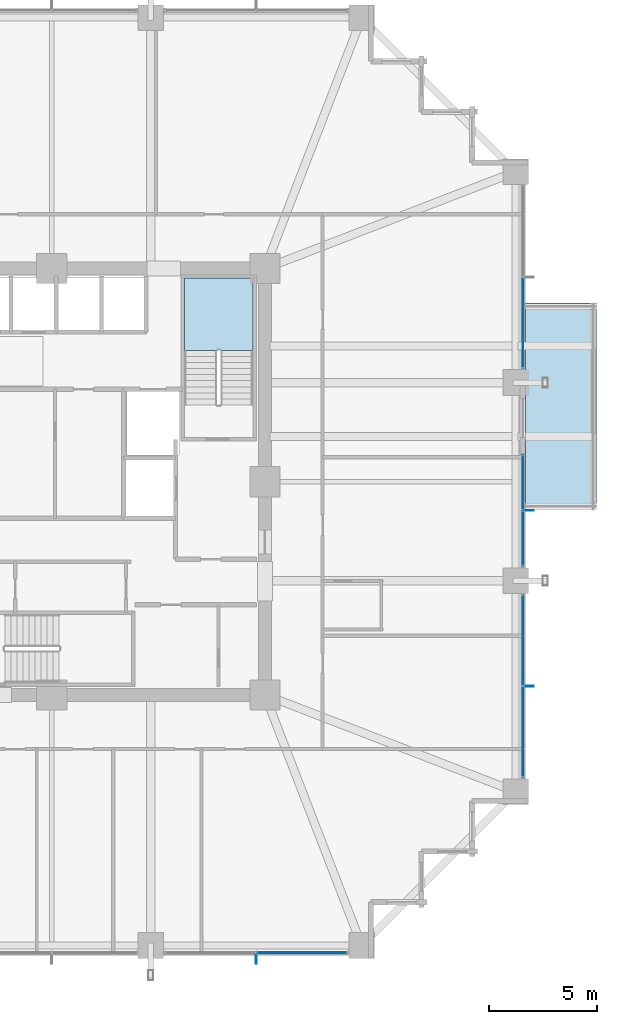
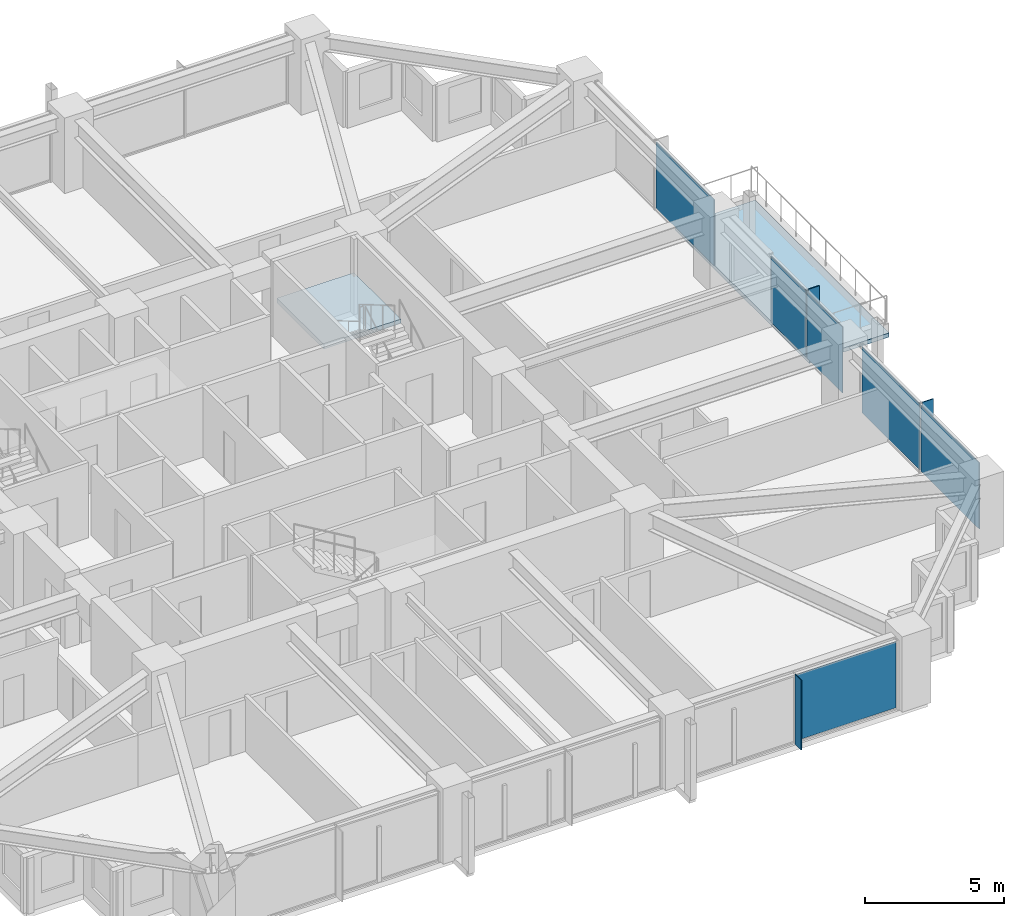
# One storey, part 30 of 38: 9 plates, 2 slabs, 5 elements without a shape of their own.
"""IFC4 building model written with IfcOpenShell, lengths in metres."""

from ifc_helpers import new_model, si_unit, direction, frame, origin, origin_2d, place, context, subcontext, project, spatial, polyline, rectangle, outline, extrude, material, layer, layer_set, type_object, element, aggregate, save


model = new_model("IFC4")

# Units and contexts
model_context = context("Model", 3, precision=1e-05, world=origin(), true_north=direction((0.0, 1.0)))
body_context = subcontext(model_context, "Body", "Model", "MODEL_VIEW")
ifc_project = project(units=[si_unit("LENGTHUNIT", "METRE"), si_unit("AREAUNIT", "SQUARE_METRE"), si_unit("VOLUMEUNIT", "CUBIC_METRE"), si_unit("PLANEANGLEUNIT", "RADIAN"), si_unit("MASSUNIT", "GRAM", prefix="KILO")], contexts=[model_context])

# Site, building, storey
site_placement = place(None, origin())
site = spatial("IfcSite", under=ifc_project, at=site_placement, CompositionType="ELEMENT")
building_placement = place(site_placement, origin())
building = spatial("IfcBuilding", under=site, at=building_placement, Name="Kolvaren Belvedere", CompositionType="ELEMENT")
storey_placement = place(building_placement, frame((0.0, 0.0, 53.5)))
storey = spatial("IfcBuildingStorey", under=building, at=storey_placement, Name="L15", CompositionType="ELEMENT", Elevation=53.5)

# Curtain wall, plate
ifc_material_1 = material(Name="Anodised pale-metal aluminium AA 6063-T6", Category="aluminium")
curtain_wall_type = type_object("IfcCurtainWallType", Name="CW-Z1-LOW", PredefinedType="NOTDEFINED", material=ifc_material_1)
curtain_wall_1_placement = place(storey_placement, origin())
curtain_wall_1 = element("IfcCurtainWall", 1, at=curtain_wall_1_placement, inside=storey, type_object=curtain_wall_type, Name="L15 Unitised Curtain Wall FCW-L15-S-B1", PredefinedType="NOTDEFINED")
ifc_material_2 = material(Name="Low-iron triple insulated glass", Category="glass")
ifc_layer_1 = layer(ifc_material_2, 0.028076171875)
ifc_layer_set_1 = layer_set([ifc_layer_1], Name="Low-iron triple insulated glass")
plate_type_1 = type_object("IfcPlateType", Name="CW-PNL-VIS28", PredefinedType="CURTAIN_PANEL", material=ifc_layer_set_1)
plate_1_placement = place(storey_placement, frame((11.62255859375, -21.8798828125, 0.080078125), z_axis=(0.0, 0.0, 1.0), x_axis=(-1.0, 0.0, 0.0)))
plate_1 = element("IfcPlate", 2, at=plate_1_placement, type_object=plate_type_1, Name="FCW-L15-S-B1 Vision Glazing Panel 1", PredefinedType="CURTAIN_PANEL", context=body_context, shape_type="SweptSolid", body=[
    extrude(rectangle(XDim=4.1650390625, YDim=0.028076171875, at=origin_2d()), origin(), (0.0, 0.0, 1.0), 2.89990234375),
])
aggregate(curtain_wall_1, [plate_1])

curtain_wall_2_placement = place(storey_placement, origin())
curtain_wall_2 = element("IfcCurtainWall", 3, at=curtain_wall_2_placement, inside=storey, type_object=curtain_wall_type, Name="L15 Unitised Curtain Wall FCW-L15-E1", PredefinedType="NOTDEFINED")
plate_2_placement = place(storey_placement, frame((21.8798828125, 7.37744140625, 0.080078125), z_axis=(0.0, 0.0, 1.0), x_axis=(0.0, -1.0, 0.0)))
plate_2 = element("IfcPlate", 4, at=plate_2_placement, type_object=plate_type_1, Name="FCW-L15-E1 Vision Glazing Panel 2", PredefinedType="CURTAIN_PANEL", context=body_context, shape_type="SweptSolid", body=[
    extrude(rectangle(XDim=4.1650390625, YDim=0.028076171875, at=origin_2d()), origin(), (0.0, 0.0, 1.0), 2.89990234375),
])
aggregate(curtain_wall_2, [plate_2])

# Curtain wall, plates
curtain_wall_3_placement = place(storey_placement, origin())
curtain_wall_3 = element("IfcCurtainWall", 5, at=curtain_wall_3_placement, inside=storey, type_object=curtain_wall_type, Name="L15 Unitised Curtain Wall FCW-L15-E2-B1", PredefinedType="NOTDEFINED")
plate_3_placement = place(storey_placement, frame((21.8798828125, -0.03369140625, 0.080078125), z_axis=(0.0, 0.0, 1.0), x_axis=(0.0, -1.0, 0.0)))
plate_3 = element("IfcPlate", 6, at=plate_3_placement, type_object=plate_type_1, Name="FCW-L15-E2-B1 Vision Glazing Panel 1", PredefinedType="CURTAIN_PANEL", context=body_context, shape_type="SweptSolid", body=[
    extrude(rectangle(XDim=2.527587890625, YDim=0.028076171875, at=origin_2d()), origin(), (0.0, 0.0, 1.0), 2.89990234375),
])
plate_4_placement = place(storey_placement, frame((21.8798828125, -2.64111328125, 0.080078125), z_axis=(0.0, 0.0, 1.0), x_axis=(0.0, -1.0, 0.0)))
plate_4 = element("IfcPlate", 7, at=plate_4_placement, type_object=plate_type_1, Name="FCW-L15-E2-B1 Vision Glazing Panel 2", PredefinedType="CURTAIN_PANEL", context=body_context, shape_type="SweptSolid", body=[
    extrude(rectangle(XDim=2.527587890625, YDim=0.028076171875, at=origin_2d()), origin(), (0.0, 0.0, 1.0), 2.89990234375),
])
aggregate(curtain_wall_3, [plate_3, plate_4])

curtain_wall_4_placement = place(storey_placement, origin())
curtain_wall_4 = element("IfcCurtainWall", 8, at=curtain_wall_4_placement, inside=storey, type_object=curtain_wall_type, Name="L15 Unitised Curtain Wall FCW-L15-E2-B2", PredefinedType="NOTDEFINED")
plate_5_placement = place(storey_placement, frame((21.8798828125, -7.37744140625, 0.080078125), z_axis=(0.0, 0.0, 1.0), x_axis=(0.0, -1.0, 0.0)))
plate_5 = element("IfcPlate", 9, at=plate_5_placement, type_object=plate_type_1, Name="FCW-L15-E2-B2 Vision Glazing Panel 1", PredefinedType="CURTAIN_PANEL", context=body_context, shape_type="SweptSolid", body=[
    extrude(rectangle(XDim=4.1650390625, YDim=0.028076171875, at=origin_2d()), origin(), (0.0, 0.0, 1.0), 2.89990234375),
])
plate_6_placement = place(storey_placement, frame((21.8798828125, -11.62255859375, 0.080078125), z_axis=(0.0, 0.0, 1.0), x_axis=(0.0, -1.0, 0.0)))
plate_6 = element("IfcPlate", 10, at=plate_6_placement, type_object=plate_type_1, Name="FCW-L15-E2-B2 Vision Glazing Panel 2", PredefinedType="CURTAIN_PANEL", context=body_context, shape_type="SweptSolid", body=[
    extrude(rectangle(XDim=4.1650390625, YDim=0.028076171875, at=origin_2d()), origin(), (0.0, 0.0, 1.0), 2.89990234375),
])
aggregate(curtain_wall_4, [plate_5, plate_6])

# Plates
ifc_material_3 = material(Name="Anodised pale-metal aluminium AA 6063-T6", Category="aluminium")
ifc_layer_2 = layer(ifc_material_3, 0.0380859375)
ifc_layer_set_2 = layer_set([ifc_layer_2], Name="Anodised pale-metal aluminium AA 6063-T6")
plate_type_2 = type_object("IfcPlateType", Name="FIN-VERT-450", PredefinedType="USERDEFINED", material=ifc_layer_set_2)
for number, where, z_axis, x_axis, name in (
    (11, (9.5, -22.1650390625, 0.0), (0.0, 0.0, 1.0), (0.0, 1.0, 0.0), "L15 Pale-Metal Vertical Shading Fin FCW-L15-S-B1-1"),
    (12, (22.1650390625, -1.33740234375, 0.0), (0.0, 0.0, 1.0), (1.0, 0.0, 0.0), "L15 Pale-Metal Vertical Shading Fin FCW-L15-E2-B1-1"),
    (13, (22.1650390625, -9.5, 0.0), (0.0, 0.0, 1.0), (1.0, 0.0, 0.0), "L15 Pale-Metal Vertical Shading Fin FCW-L15-E2-B2-1"),
):
    element("IfcPlate", number, at=place(storey_placement, frame(where, z_axis=z_axis, x_axis=x_axis)), inside=storey, type_object=plate_type_2, Name=name, ObjectType="VERTICAL FIN", PredefinedType="USERDEFINED", context=body_context, shape_type="SweptSolid", body=[
        extrude(rectangle(XDim=0.449951171875, YDim=0.0380859375, at=origin_2d()), origin(), (0.0, 0.0, 1.0), 3.06005859375),
    ])

# Slab
ifc_material_4 = material(Name="Concrete C50/60", Category="concrete")
ifc_layer_3 = layer(ifc_material_4, 0.179931640625)
ifc_layer_set_3 = layer_set([ifc_layer_3], Name="Concrete C50/60")
slab_type_1 = type_object("IfcSlabType", Name="SL-BAL-180", PredefinedType="FLOOR", material=ifc_layer_set_3)
slab_1_placement = place(storey_placement, frame((0.0, 0.0, -0.239990234375)))
element("IfcSlab", 14, at=slab_1_placement, inside=storey, type_object=slab_type_1, Name="L15 Planted Sky Terrace SPIRAL-02-E", PredefinedType="FLOOR", context=body_context, shape_type="SweptSolid", body=[
    extrude(outline(polyline([(22.0, -1.300048828125), (25.300048828125, -1.300048828125), (25.300048828125, 8.300048828125), (22.0, 8.300048828125), (22.0, -1.300048828125)])), origin(), (0.0, 0.0, 1.0), 0.179931640625),
])

# Stair, slab
ifc_material_5 = material(Name="Concrete C50/60", Category="concrete")
stair_type = type_object("IfcStairType", Name="ST-CORE-1520", PredefinedType="HALF_TURN_STAIR", material=ifc_material_5)
stair_placement = place(storey_placement, origin())
stair = element("IfcStair", 15, at=stair_placement, inside=storey, type_object=stair_type, Name="L15 Protected Exit Stair ST-2", PredefinedType="HALF_TURN_STAIR")
ifc_material_6 = material(Name="Concrete C50/60", Category="concrete")
ifc_layer_4 = layer(ifc_material_6, 0.260009765625)
ifc_layer_set_4 = layer_set([ifc_layer_4], Name="Concrete C50/60")
slab_type_2 = type_object("IfcSlabType", Name="SL-LAND-260", PredefinedType="LANDING", material=ifc_layer_set_4)
slab_2_placement = place(storey_placement, frame((0.0, 0.0, 1.449951171875)))
slab_2 = element("IfcSlab", 16, at=slab_2_placement, type_object=slab_type_2, Name="ST-2 landing 1", PredefinedType="LANDING", context=body_context, shape_type="SweptSolid", body=[
    extrude(outline(polyline([(9.35009765625, 6.090087890625), (9.35009765625, 9.449951171875), (6.159912109375, 9.449951171875), (6.159912109375, 6.090087890625), (9.35009765625, 6.090087890625)])), origin(), (0.0, 0.0, 1.0), 0.199951171875),
])
aggregate(stair, [slab_2])

save(model, "model.ifc")
